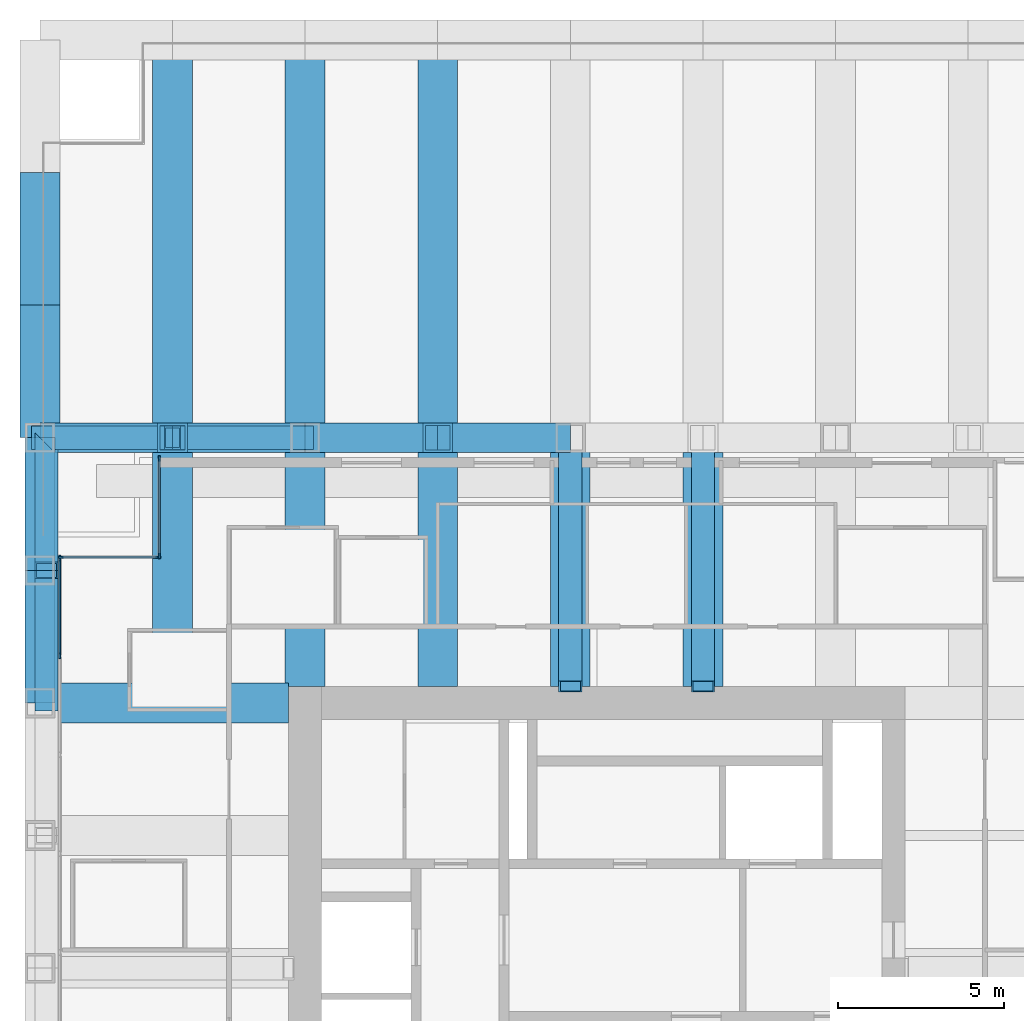
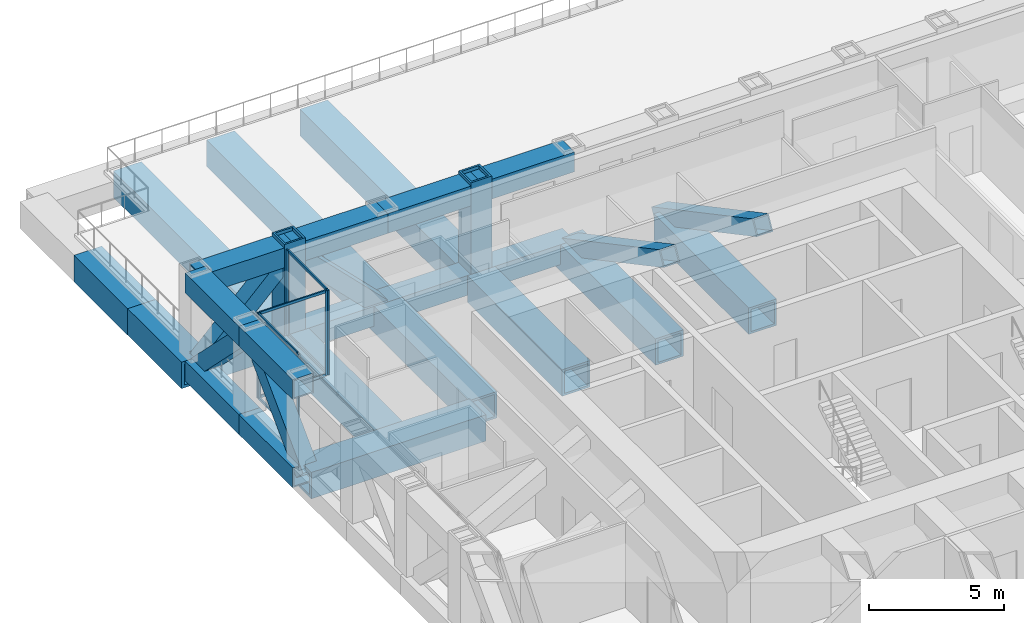
# One storey, part 7 of 17: 21 beams, 20 members, 3 elements without a shape of their own.
"""IFC4 building model written with IfcOpenShell, lengths in metres."""

from ifc_helpers import new_model, si_unit, direction, frame, origin, origin_2d, place, context, subcontext, project, spatial, rectangle, hollow_rectangle, extrude, material, material_profile, profile_set, type_object, element, aggregate, save


model = new_model("IFC4")

# Units and contexts
model_context = context("Model", 3, precision=1e-05, world=origin(), true_north=direction((0.0, 1.0)))
body_context = subcontext(model_context, "Body", "Model", "MODEL_VIEW")
ifc_project = project(units=[si_unit("LENGTHUNIT", "METRE"), si_unit("AREAUNIT", "SQUARE_METRE"), si_unit("VOLUMEUNIT", "CUBIC_METRE"), si_unit("PLANEANGLEUNIT", "RADIAN"), si_unit("MASSUNIT", "GRAM", prefix="KILO")], contexts=[model_context])

# Site, building, storey
site_placement = place(None, origin())
site = spatial("IfcSite", under=ifc_project, at=site_placement, CompositionType="ELEMENT")
building_placement = place(site_placement, origin())
building = spatial("IfcBuilding", under=site, at=building_placement, Name="Rimbunsela Tower", CompositionType="ELEMENT")
storey_placement = place(building_placement, frame((0.0, 0.0, 238.199951171875)))
storey = spatial("IfcBuildingStorey", under=building, at=storey_placement, Name="L57", CompositionType="ELEMENT", Elevation=238.199951171875)

# Beams
ifc_material_1 = material(Name="Steel BJ 55 (fy 410 MPa)", Category="steel")
ifc_material_profile_1 = material_profile(ifc_material_1, hollow_rectangle(XDim=1.199951171875, YDim=1.199951171875, WallThickness=0.10009765625, at=origin_2d()), Name="BOX 1200x1200x100")
ifc_profile_set_1 = profile_set([ifc_material_profile_1], Name="Steel BJ 55 (fy 410 MPa)")
beam_type_1 = type_object("IfcBeamType", Name="Beam BOX 1200x1200x100", PredefinedType="BEAM", material=ifc_profile_set_1)
beam_1_placement = place(storey_placement, frame((18.0, 36.5, -0.75), z_axis=(0.0, 1.0, 0.0), x_axis=(-1.0, 0.0, 0.0)))
element("IfcBeam", 1, at=beam_1_placement, inside=storey, type_object=beam_type_1, Name="Beam B5 L57", PredefinedType="BEAM", context=body_context, shape_type="SweptSolid", body=[
    extrude(hollow_rectangle(XDim=1.199951171875, YDim=1.199951171875, WallThickness=0.10009765625, at=origin_2d()), origin(), (0.0, 0.0, 1.0), 7.5),
])
beam_2_placement = place(storey_placement, frame((18.0, 44.0, -0.75), z_axis=(0.0, 1.0, 0.0), x_axis=(-1.0, 0.0, 0.0)))
element("IfcBeam", 2, at=beam_2_placement, inside=storey, type_object=beam_type_1, Name="Beam B5 L57", PredefinedType="BEAM", context=body_context, shape_type="SweptSolid", body=[
    extrude(hollow_rectangle(XDim=1.199951171875, YDim=1.199951171875, WallThickness=0.10009765625, at=origin_2d()), origin(), (0.0, 0.0, 1.0), 12.0),
])
beam_3_placement = place(storey_placement, frame((22.0, 36.5, -0.75), z_axis=(0.0, 1.0, 0.0), x_axis=(-1.0, 0.0, 0.0)))
element("IfcBeam", 3, at=beam_3_placement, inside=storey, type_object=beam_type_1, Name="Beam B5 L57", PredefinedType="BEAM", context=body_context, shape_type="SweptSolid", body=[
    extrude(hollow_rectangle(XDim=1.199951171875, YDim=1.199951171875, WallThickness=0.10009765625, at=origin_2d()), origin(), (0.0, 0.0, 1.0), 7.050048828125),
])
beam_4_placement = place(storey_placement, frame((22.0, 44.449951171875, -0.75), z_axis=(0.0, 1.0, 0.0), x_axis=(-1.0, 0.0, 0.0)))
element("IfcBeam", 4, at=beam_4_placement, inside=storey, type_object=beam_type_1, Name="Beam B5 L57", PredefinedType="BEAM", context=body_context, shape_type="SweptSolid", body=[
    extrude(hollow_rectangle(XDim=1.199951171875, YDim=1.199951171875, WallThickness=0.10009765625, at=origin_2d()), origin(), (0.0, 0.0, 1.0), 11.550048828125),
])
beam_5_placement = place(storey_placement, frame((26.0, 36.5, -0.75), z_axis=(0.0, 1.0, 0.0), x_axis=(-1.0, 0.0, 0.0)))
element("IfcBeam", 5, at=beam_5_placement, inside=storey, type_object=beam_type_1, Name="Beam B5 L57", PredefinedType="BEAM", context=body_context, shape_type="SweptSolid", body=[
    extrude(hollow_rectangle(XDim=1.199951171875, YDim=1.199951171875, WallThickness=0.10009765625, at=origin_2d()), origin(), (0.0, 0.0, 1.0), 7.5),
])
beam_6_placement = place(storey_placement, frame((30.0, 36.5, -0.75), z_axis=(0.0, 1.0, 0.0), x_axis=(-1.0, 0.0, 0.0)))
element("IfcBeam", 6, at=beam_6_placement, inside=storey, type_object=beam_type_1, Name="Beam B5 L57", PredefinedType="BEAM", context=body_context, shape_type="SweptSolid", body=[
    extrude(hollow_rectangle(XDim=1.199951171875, YDim=1.199951171875, WallThickness=0.10009765625, at=origin_2d()), origin(), (0.0, 0.0, 1.0), 7.050048828125),
])
ifc_material_2 = material(Name="Steel BJ 55 (fy 410 MPa)", Category="steel")
ifc_material_profile_2 = material_profile(ifc_material_2, hollow_rectangle(XDim=1.199951171875, YDim=1.199951171875, WallThickness=0.125, at=origin_2d()), Name="BOX 1200x1200x125")
ifc_profile_set_2 = profile_set([ifc_material_profile_2], Name="Steel BJ 55 (fy 410 MPa)")
beam_type_2 = type_object("IfcBeamType", Name="Beam BOX 1200x1200x125", PredefinedType="BEAM", material=ifc_profile_set_2)
beam_7_placement = place(storey_placement, frame((10.0, 36.0, -0.75), z_axis=(1.0, 0.0, 0.0), x_axis=(0.0, 1.0, 0.0)))
element("IfcBeam", 7, at=beam_7_placement, inside=storey, type_object=beam_type_2, Name="Beam B4 L57", PredefinedType="BEAM", context=body_context, shape_type="SweptSolid", body=[
    extrude(hollow_rectangle(XDim=1.199951171875, YDim=1.199951171875, WallThickness=0.125, at=origin_2d()), origin(), (0.0, 0.0, 1.0), 7.5),
])
for number, where, z_axis, x_axis, name in (
    (8, (10.0, 44.0, -0.75), (0.0, 1.0, 0.0), (-1.0, 0.0, 0.0), "Beam B4 L57"),
    (9, (10.0, 48.0, -0.75), (0.0, 1.0, 0.0), (-1.0, 0.0, 0.0), "Beam B4 L57"),
):
    element("IfcBeam", number, at=place(storey_placement, frame(where, z_axis=z_axis, x_axis=x_axis)), inside=storey, type_object=beam_type_2, Name=name, PredefinedType="BEAM", context=body_context, shape_type="SweptSolid", body=[
        extrude(hollow_rectangle(XDim=1.199951171875, YDim=1.199951171875, WallThickness=0.125, at=origin_2d()), origin(), (0.0, 0.0, 1.0), 4.0),
    ])
beam_8_placement = place(storey_placement, frame((14.0, 36.60009765625, -0.75), z_axis=(0.0, 1.0, 0.0), x_axis=(-1.0, 0.0, 0.0)))
element("IfcBeam", 10, at=beam_8_placement, inside=storey, type_object=beam_type_2, Name="Beam B4 L57", PredefinedType="BEAM", context=body_context, shape_type="SweptSolid", body=[
    extrude(hollow_rectangle(XDim=1.199951171875, YDim=1.199951171875, WallThickness=0.125, at=origin_2d()), origin(), (0.0, 0.0, 1.0), 6.949951171875),
])
beam_9_placement = place(storey_placement, frame((14.0, 44.449951171875, -0.75), z_axis=(0.0, 1.0, 0.0), x_axis=(-1.0, 0.0, 0.0)))
element("IfcBeam", 11, at=beam_9_placement, inside=storey, type_object=beam_type_2, Name="Beam B4 L57", PredefinedType="BEAM", context=body_context, shape_type="SweptSolid", body=[
    extrude(hollow_rectangle(XDim=1.199951171875, YDim=1.199951171875, WallThickness=0.125, at=origin_2d()), origin(), (0.0, 0.0, 1.0), 11.550048828125),
])

# Curtain wall, members
ifc_material_3 = material(Name="Aluminium curtain wall", Category="aluminium")
curtain_wall_type_1 = type_object("IfcCurtainWallType", Name="Corner glazing", PredefinedType="USERDEFINED", material=ifc_material_3)
curtain_wall_1_placement = place(storey_placement, origin())
curtain_wall_1 = element("IfcCurtainWall", 12, at=curtain_wall_1_placement, inside=storey, type_object=curtain_wall_type_1, Name="Corner glazing L57", ObjectType="CORNER GLAZING", PredefinedType="USERDEFINED")
ifc_material_4 = material(Name="Aluminium mullion", Category="aluminium")
ifc_material_profile_3 = material_profile(ifc_material_4, rectangle(XDim=0.06005859375, YDim=0.159912109375, at=origin_2d()), Name="Mullion 60x160")
ifc_profile_set_3 = profile_set([ifc_material_profile_3], Name="Aluminium mullion")
member_type_1 = type_object("IfcMemberType", Name="Curtain wall mullion 60x160", PredefinedType="MULLION", material=ifc_profile_set_3)
member_1_placement = place(storey_placement, frame((13.60009765625, 43.3701171875, 0.0), z_axis=(0.0, 0.0, 1.0), x_axis=(1.0, 0.0, 0.0)))
member_1 = element("IfcMember", 13, at=member_1_placement, type_object=member_type_1, Name="CW5 mullion 1", PredefinedType="MULLION", context=body_context, shape_type="SweptSolid", body=[
    extrude(rectangle(XDim=0.06005859375, YDim=0.159912109375, at=origin_2d()), origin(), (0.0, 0.0, 1.0), 3.85009765625),
])
member_2_placement = place(storey_placement, frame((13.60009765625, 40.429931640625, 0.0), z_axis=(0.0, 0.0, 1.0), x_axis=(1.0, 0.0, 0.0)))
member_2 = element("IfcMember", 14, at=member_2_placement, type_object=member_type_1, Name="CW5 mullion 2", PredefinedType="MULLION", context=body_context, shape_type="SweptSolid", body=[
    extrude(rectangle(XDim=0.06005859375, YDim=0.159912109375, at=origin_2d()), origin(), (0.0, 0.0, 1.0), 3.85009765625),
])

curtain_wall_2_placement = place(storey_placement, origin())
curtain_wall_2 = element("IfcCurtainWall", 15, at=curtain_wall_2_placement, inside=storey, type_object=curtain_wall_type_1, Name="Corner glazing L57", ObjectType="CORNER GLAZING", PredefinedType="USERDEFINED")
member_3_placement = place(storey_placement, frame((13.570068359375, 40.39990234375, 0.0), z_axis=(0.0, 0.0, 1.0), x_axis=(0.0, -1.0, 0.0)))
member_3 = element("IfcMember", 16, at=member_3_placement, type_object=member_type_1, Name="CW5 mullion 1", PredefinedType="MULLION", context=body_context, shape_type="SweptSolid", body=[
    extrude(rectangle(XDim=0.06005859375, YDim=0.159912109375, at=origin_2d()), origin(), (0.0, 0.0, 1.0), 3.85009765625),
])
member_4_placement = place(storey_placement, frame((10.6298828125, 40.39990234375, 0.0), z_axis=(0.0, 0.0, 1.0), x_axis=(0.0, -1.0, 0.0)))
member_4 = element("IfcMember", 17, at=member_4_placement, type_object=member_type_1, Name="CW5 mullion 2", PredefinedType="MULLION", context=body_context, shape_type="SweptSolid", body=[
    extrude(rectangle(XDim=0.06005859375, YDim=0.159912109375, at=origin_2d()), origin(), (0.0, 0.0, 1.0), 3.85009765625),
])

ifc_material_5 = material(Name="Aluminium curtain wall", Category="aluminium")
curtain_wall_type_2 = type_object("IfcCurtainWallType", Name="Exoskeleton storey infill", PredefinedType="USERDEFINED", material=ifc_material_5)
curtain_wall_3_placement = place(storey_placement, origin())
curtain_wall_3 = element("IfcCurtainWall", 18, at=curtain_wall_3_placement, inside=storey, type_object=curtain_wall_type_2, Name="Exoskeleton storey infill L57", ObjectType="EXOSKELETON STOREY INFILL", PredefinedType="USERDEFINED")
member_5_placement = place(storey_placement, frame((10.60009765625, 40.3701171875, 0.0), z_axis=(0.0, 0.0, 1.0), x_axis=(1.0, 0.0, 0.0)))
member_5 = element("IfcMember", 19, at=member_5_placement, type_object=member_type_1, Name="CW2 mullion 1", PredefinedType="MULLION", context=body_context, shape_type="SweptSolid", body=[
    extrude(rectangle(XDim=0.06005859375, YDim=0.159912109375, at=origin_2d()), origin(), (0.0, 0.0, 1.0), 3.85009765625),
])
member_6_placement = place(storey_placement, frame((10.60009765625, 37.418212890625, 0.0), z_axis=(0.0, 0.0, 1.0), x_axis=(1.0, 0.0, 0.0)))
member_6 = element("IfcMember", 20, at=member_6_placement, type_object=member_type_1, Name="CW2 mullion 2", PredefinedType="MULLION", context=body_context, shape_type="SweptSolid", body=[
    extrude(rectangle(XDim=0.06005859375, YDim=0.159912109375, at=origin_2d()), origin(), (0.0, 0.0, 1.0), 3.85009765625),
])

# Member
ifc_material_6 = material(Name="Aluminium transom", Category="aluminium")
ifc_material_profile_4 = material_profile(ifc_material_6, rectangle(XDim=0.06005859375, YDim=0.1201171875, at=origin_2d()), Name="Transom 60x120")
ifc_profile_set_4 = profile_set([ifc_material_profile_4], Name="Aluminium transom")
member_type_2 = type_object("IfcMemberType", Name="Curtain wall transom 60x120", PredefinedType="USERDEFINED", material=ifc_profile_set_4)
member_7_placement = place(storey_placement, frame((13.60009765625, 43.340087890625, 0.030029296875), z_axis=(0.0, -1.0, 0.0), x_axis=(1.0, 0.0, 0.0)))
member_7 = element("IfcMember", 21, at=member_7_placement, type_object=member_type_2, Name="CW5 transom 1.1", ObjectType="TRANSOM", PredefinedType="USERDEFINED", context=body_context, shape_type="SweptSolid", body=[
    extrude(rectangle(XDim=0.06005859375, YDim=0.1201171875, at=origin_2d()), origin(), (0.0, 0.0, 1.0), 2.880126953125),
])

member_8_placement = place(storey_placement, frame((13.60009765625, 43.340087890625, 3.820068359375), z_axis=(0.0, -1.0, 0.0), x_axis=(1.0, 0.0, 0.0)))
member_8 = element("IfcMember", 22, at=member_8_placement, type_object=member_type_2, Name="CW5 transom 1.2", ObjectType="TRANSOM", PredefinedType="USERDEFINED", context=body_context, shape_type="SweptSolid", body=[
    extrude(rectangle(XDim=0.06005859375, YDim=0.1201171875, at=origin_2d()), origin(), (0.0, 0.0, 1.0), 2.880126953125),
])

aggregate(curtain_wall_1, [member_1, member_2, member_7, member_8])

member_9_placement = place(storey_placement, frame((13.5400390625, 40.39990234375, 0.030029296875), z_axis=(-1.0, 0.0, 0.0), x_axis=(0.0, -1.0, 0.0)))
member_9 = element("IfcMember", 23, at=member_9_placement, type_object=member_type_2, Name="CW5 transom 1.1", ObjectType="TRANSOM", PredefinedType="USERDEFINED", context=body_context, shape_type="SweptSolid", body=[
    extrude(rectangle(XDim=0.06005859375, YDim=0.1201171875, at=origin_2d()), origin(), (0.0, 0.0, 1.0), 2.880126953125),
])

member_10_placement = place(storey_placement, frame((13.5400390625, 40.39990234375, 3.820068359375), z_axis=(-1.0, 0.0, 0.0), x_axis=(0.0, -1.0, 0.0)))
member_10 = element("IfcMember", 24, at=member_10_placement, type_object=member_type_2, Name="CW5 transom 1.2", ObjectType="TRANSOM", PredefinedType="USERDEFINED", context=body_context, shape_type="SweptSolid", body=[
    extrude(rectangle(XDim=0.06005859375, YDim=0.1201171875, at=origin_2d()), origin(), (0.0, 0.0, 1.0), 2.880126953125),
])

aggregate(curtain_wall_2, [member_3, member_4, member_9, member_10])

member_11_placement = place(storey_placement, frame((10.60009765625, 40.340087890625, 0.030029296875), z_axis=(0.0, -1.0, 0.0), x_axis=(1.0, 0.0, 0.0)))
member_11 = element("IfcMember", 25, at=member_11_placement, type_object=member_type_2, Name="CW2 transom 1.1", ObjectType="TRANSOM", PredefinedType="USERDEFINED", context=body_context, shape_type="SweptSolid", body=[
    extrude(rectangle(XDim=0.06005859375, YDim=0.1201171875, at=origin_2d()), origin(), (0.0, 0.0, 1.0), 2.891845703125),
])

member_12_placement = place(storey_placement, frame((10.60009765625, 40.340087890625, 3.820068359375), z_axis=(0.0, -1.0, 0.0), x_axis=(1.0, 0.0, 0.0)))
member_12 = element("IfcMember", 26, at=member_12_placement, type_object=member_type_2, Name="CW2 transom 1.2", ObjectType="TRANSOM", PredefinedType="USERDEFINED", context=body_context, shape_type="SweptSolid", body=[
    extrude(rectangle(XDim=0.06005859375, YDim=0.1201171875, at=origin_2d()), origin(), (0.0, 0.0, 1.0), 2.891845703125),
])

aggregate(curtain_wall_3, [member_5, member_6, member_11, member_12])

# Members
ifc_material_7 = material(Name="Steel BJ 55 (fy 410 MPa)", Category="steel")
ifc_material_profile_5 = material_profile(ifc_material_7, hollow_rectangle(XDim=0.699951171875, YDim=0.699951171875, WallThickness=0.050048828125, at=origin_2d()), Name="BOX 700x700x50")
ifc_profile_set_5 = profile_set([ifc_material_profile_5], Name="Steel BJ 55 (fy 410 MPa)")
member_type_3 = type_object("IfcMemberType", Name="Outrigger brace BOX 700x700x50", PredefinedType="BRACE", material=ifc_profile_set_5)
for number, where, z_axis, x_axis, name in (
    (27, (26.0, 44.0, -0.599853515625), (0.0, -0.882352941176, 0.470588235294), (1.0, 0.0, 0.0), "Outrigger brace OB2 N L57"),
    (28, (30.0, 44.0, -0.599853515625), (0.0, -0.882352941176, 0.470588235294), (1.0, 0.0, 0.0), "Outrigger brace OB2 N L57"),
):
    element("IfcMember", number, at=place(storey_placement, frame(where, z_axis=z_axis, x_axis=x_axis)), inside=storey, type_object=member_type_3, Name=name, PredefinedType="BRACE", context=body_context, shape_type="SweptSolid", body=[
        extrude(hollow_rectangle(XDim=0.699951171875, YDim=0.699951171875, WallThickness=0.050048828125, at=origin_2d()), origin(), (0.0, 0.0, 1.0), 8.5),
    ])

# Beams
ifc_material_8 = material(Name="Steel BJ 55 (fy 410 MPa)", Category="steel")
ifc_material_profile_6 = material_profile(ifc_material_8, hollow_rectangle(XDim=0.89990234375, YDim=0.89990234375, WallThickness=0.06005859375, at=origin_2d()), Name="BOX 900x900x60")
ifc_profile_set_6 = profile_set([ifc_material_profile_6], Name="Steel BJ 55 (fy 410 MPa)")
beam_type_3 = type_object("IfcBeamType", Name="Truss chord BOX 900x900x60", PredefinedType="USERDEFINED", material=ifc_profile_set_6)
for number, where, z_axis, x_axis, name in (
    (29, (10.0, 44.0, 3.400146484375), (1.0, 0.0, 0.0), (0.0, 1.0, 0.0), "Truss top chord TC4 N face L57"),
    (30, (14.0, 44.0, 3.400146484375), (1.0, 0.0, 0.0), (0.0, 1.0, 0.0), "Truss top chord TC4 N face L57"),
    (31, (18.0, 44.0, 3.400146484375), (1.0, 0.0, 0.0), (0.0, 1.0, 0.0), "Truss top chord TC4 N face L57"),
    (32, (22.0, 44.0, 3.400146484375), (1.0, 0.0, 0.0), (0.0, 1.0, 0.0), "Truss top chord TC4 N face L57"),
    (33, (10.0, 36.0, 3.400146484375), (0.0, 1.0, 0.0), (-1.0, 0.0, 0.0), "Truss top chord TC4 W face L57"),
    (34, (10.0, 40.0, 3.400146484375), (0.0, 1.0, 0.0), (-1.0, 0.0, 0.0), "Truss top chord TC4 W face L57"),
):
    element("IfcBeam", number, at=place(storey_placement, frame(where, z_axis=z_axis, x_axis=x_axis)), inside=storey, type_object=beam_type_3, Name=name, ObjectType="TRUSS CHORD", PredefinedType="USERDEFINED", context=body_context, shape_type="SweptSolid", body=[
        extrude(hollow_rectangle(XDim=0.89990234375, YDim=0.89990234375, WallThickness=0.06005859375, at=origin_2d()), origin(), (0.0, 0.0, 1.0), 4.0),
    ])
for number, where, z_axis, x_axis, name in (
    (35, (10.0, 44.0, -0.599853515625), (1.0, 0.0, 0.0), (0.0, 1.0, 0.0), "Truss bottom chord TC4 N face L57"),
    (36, (18.0, 44.0, -0.599853515625), (1.0, 0.0, 0.0), (0.0, 1.0, 0.0), "Truss bottom chord TC4 N face L57"),
):
    element("IfcBeam", number, at=place(storey_placement, frame(where, z_axis=z_axis, x_axis=x_axis)), inside=storey, type_object=beam_type_3, Name=name, ObjectType="TRUSS CHORD", PredefinedType="USERDEFINED", context=body_context, shape_type="SweptSolid", body=[
        extrude(hollow_rectangle(XDim=0.89990234375, YDim=0.89990234375, WallThickness=0.06005859375, at=origin_2d()), origin(), (0.0, 0.0, 1.0), 8.0),
    ])
for number, where, z_axis, x_axis, name in (
    (37, (10.0, 36.0, -0.599853515625), (0.0, 1.0, 0.0), (-1.0, 0.0, 0.0), "Truss bottom chord TC4 W face L57"),
    (38, (10.0, 40.0, -0.599853515625), (0.0, 1.0, 0.0), (-1.0, 0.0, 0.0), "Truss bottom chord TC4 W face L57"),
):
    element("IfcBeam", number, at=place(storey_placement, frame(where, z_axis=z_axis, x_axis=x_axis)), inside=storey, type_object=beam_type_3, Name=name, ObjectType="TRUSS CHORD", PredefinedType="USERDEFINED", context=body_context, shape_type="SweptSolid", body=[
        extrude(hollow_rectangle(XDim=0.89990234375, YDim=0.89990234375, WallThickness=0.06005859375, at=origin_2d()), origin(), (0.0, 0.0, 1.0), 4.0),
    ])

# Members
ifc_material_9 = material(Name="Steel BJ 55 (fy 410 MPa)", Category="steel")
ifc_material_profile_7 = material_profile(ifc_material_9, hollow_rectangle(XDim=0.699951171875, YDim=0.699951171875, WallThickness=0.050048828125, at=origin_2d()), Name="BOX 700x700x50")
ifc_profile_set_7 = profile_set([ifc_material_profile_7], Name="Steel BJ 55 (fy 410 MPa)")
member_type_4 = type_object("IfcMemberType", Name="Truss diagonal BOX 700x700x50", PredefinedType="BRACE", material=ifc_profile_set_7)
for number, where, z_axis, x_axis, name in (
    (39, (10.0, 44.0, -0.599853515625), (0.707106781187, 0.0, 0.707106781187), (0.0, 1.0, 0.0), "Truss diagonal TD4 N face L57"),
    (40, (14.0, 44.0, 3.400146484375), (0.707106781187, 0.0, -0.707106781187), (0.0, 1.0, 0.0), "Truss diagonal TD4 N face L57"),
    (41, (10.199951171875, 36.0, -0.599853515625), (0.0, 0.707106781187, 0.707106781187), (-1.0, 0.0, 0.0), "Truss diagonal TD4 W face L57"),
    (42, (10.199951171875, 40.0, 3.400146484375), (0.0, 0.707106781187, -0.707106781187), (-1.0, 0.0, 0.0), "Truss diagonal TD4 W face L57"),
):
    element("IfcMember", number, at=place(storey_placement, frame(where, z_axis=z_axis, x_axis=x_axis)), inside=storey, type_object=member_type_4, Name=name, PredefinedType="BRACE", context=body_context, shape_type="SweptSolid", body=[
        extrude(hollow_rectangle(XDim=0.699951171875, YDim=0.699951171875, WallThickness=0.050048828125, at=origin_2d()), origin(), (0.0, 0.0, 1.0), 5.65673828125),
    ])
ifc_material_10 = material(Name="Steel BJ 55 (fy 410 MPa)", Category="steel")
ifc_material_profile_8 = material_profile(ifc_material_10, hollow_rectangle(XDim=0.89990234375, YDim=0.89990234375, WallThickness=0.080078125, at=origin_2d()), Name="BOX 900x900x80")
ifc_profile_set_8 = profile_set([ifc_material_profile_8], Name="Steel BJ 55 (fy 410 MPa)")
member_type_5 = type_object("IfcMemberType", Name="Truss post BOX 900x900x80", PredefinedType="POST", material=ifc_profile_set_8)
for number, where, z_axis, x_axis, name in (
    (43, (14.0, 44.0, -0.599853515625), (0.0, 0.0, 1.0), (1.0, 0.0, 0.0), "Truss post TP3 6/N L57"),
    (44, (22.0, 44.0, -0.599853515625), (0.0, 0.0, 1.0), (1.0, 0.0, 0.0), "Truss post TP3 8/N L57"),
):
    element("IfcMember", number, at=place(storey_placement, frame(where, z_axis=z_axis, x_axis=x_axis)), inside=storey, type_object=member_type_5, Name=name, PredefinedType="POST", context=body_context, shape_type="SweptSolid", body=[
        extrude(hollow_rectangle(XDim=0.89990234375, YDim=0.89990234375, WallThickness=0.080078125, at=origin_2d()), origin(), (0.0, 0.0, 1.0), 4.599853515625),
    ])

save(model, "model.ifc")
